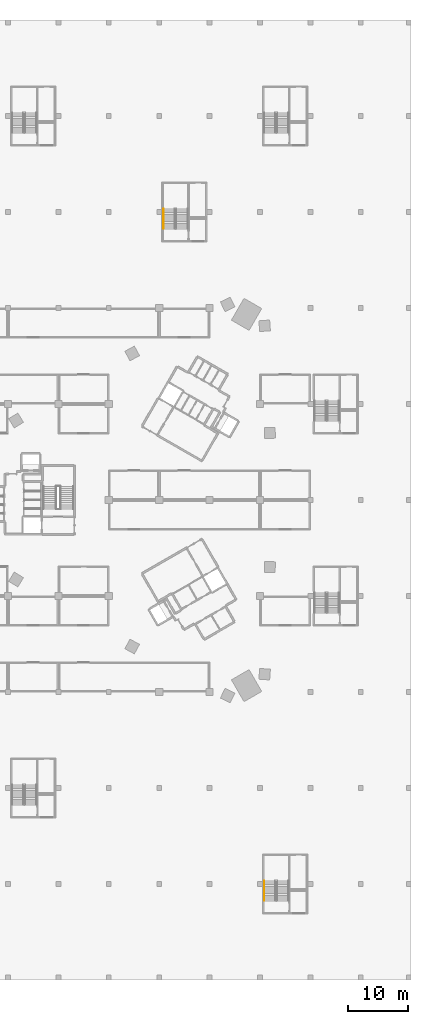
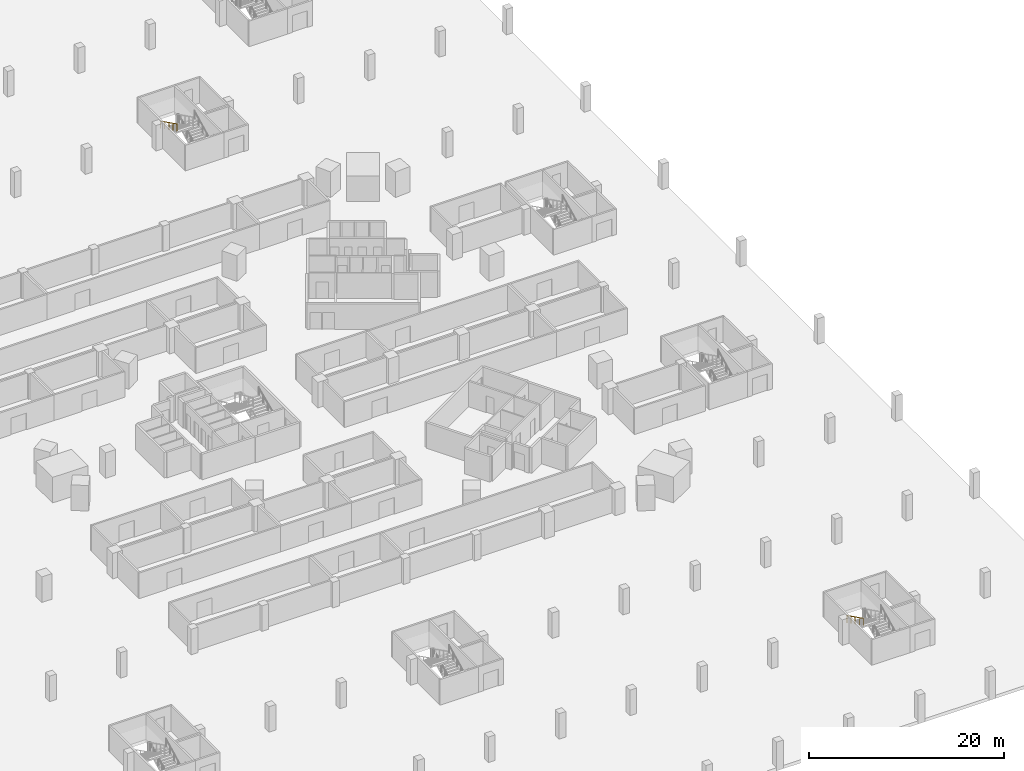
# One storey, part 29 of 37: 2 railings.
"""IFC4 building model written with IfcOpenShell, lengths in metres."""

from ifc_helpers import new_model, si_unit, direction, frame, origin, origin_2d, place, context, subcontext, project, spatial, circle, extrude, material, type_object, element, save


model = new_model("IFC4")

# Units and contexts
model_context = context("Model", 3, precision=1e-05, world=origin(), true_north=direction((0.0, 1.0)))
body_context = subcontext(model_context, "Body", "Model", "MODEL_VIEW")
ifc_project = project(units=[si_unit("LENGTHUNIT", "METRE"), si_unit("AREAUNIT", "SQUARE_METRE"), si_unit("VOLUMEUNIT", "CUBIC_METRE"), si_unit("PLANEANGLEUNIT", "RADIAN"), si_unit("MASSUNIT", "GRAM", prefix="KILO")], contexts=[model_context])

# Site, building, storey
site_placement = place(None, origin())
site = spatial("IfcSite", under=ifc_project, at=site_placement, CompositionType="ELEMENT")
building_placement = place(site_placement, origin())
building = spatial("IfcBuilding", under=site, at=building_placement, Name="Tamra Quay Hotel Tower", CompositionType="ELEMENT")
storey_placement = place(building_placement, frame((0.0, 0.0, -7.199951171875)))
storey = spatial("IfcBuildingStorey", under=building, at=storey_placement, Name="B2", CompositionType="ELEMENT", Elevation=-7.199951171875)

# Railings
ifc_material = material(Name="Basement stair handrail 900")
railing_type = type_object("IfcRailingType", Name="Basement stair handrail 900", PredefinedType="HANDRAIL", material=ifc_material)
for number, where, name in (
    (1, (4.0, 48.5, 1.949951171875), "BSH"),
    (2, (20.800048828125, -63.5, 1.949951171875), "BSH"),
):
    element("IfcRailing", number, at=place(storey_placement, frame(where)), inside=storey, type_object=railing_type, Name=name, PredefinedType="HANDRAIL", context=body_context, shape_type="SweptSolid", body=[
        extrude(circle(Radius=0.02392578125, at=origin_2d()), frame((0.0, 0.0, 0.8759765625), z_axis=(0.0, -0.894440424912, 0.447187126696), x_axis=(1.0, 0.0, 0.0)), (0.0, 0.0, 1.0), 3.689453125),
        extrude(circle(Radius=0.02099609375, at=origin_2d()), origin(), (0.0, 0.0, 1.0), 0.851806640625),
        extrude(circle(Radius=0.02099609375, at=origin_2d()), frame((0.0, -0.824951171875, 0.41259765625)), (0.0, 0.0, 1.0), 0.851806640625),
        extrude(circle(Radius=0.02099609375, at=origin_2d()), frame((0.0, -1.64990234375, 0.824951171875)), (0.0, 0.0, 1.0), 0.851806640625),
        extrude(circle(Radius=0.02099609375, at=origin_2d()), frame((0.0, -2.47509765625, 1.2373046875)), (0.0, 0.0, 1.0), 0.851806640625),
        extrude(circle(Radius=0.02099609375, at=origin_2d()), frame((0.0, -3.300048828125, 1.64990234375)), (0.0, 0.0, 1.0), 0.851806640625),
    ])

save(model, "model.ifc")
